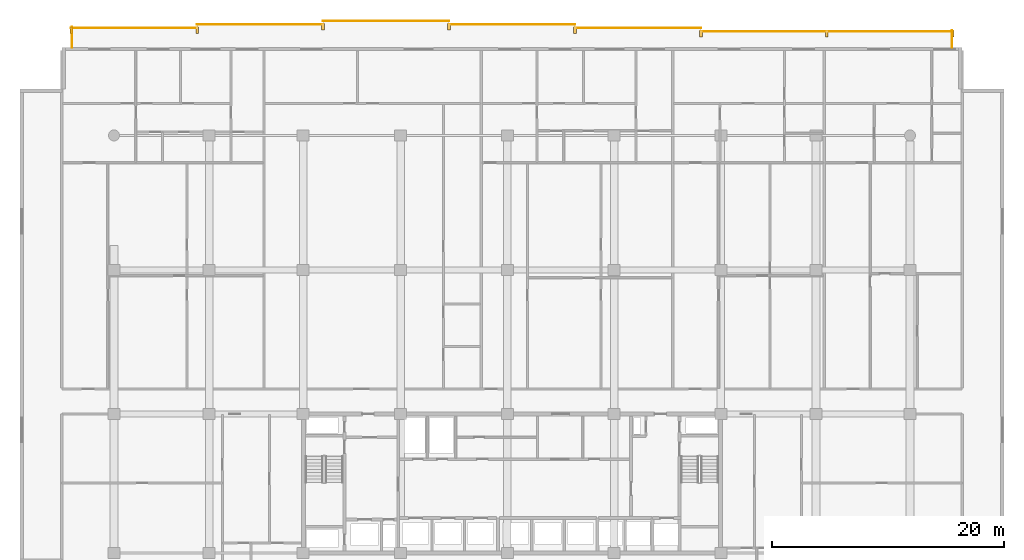
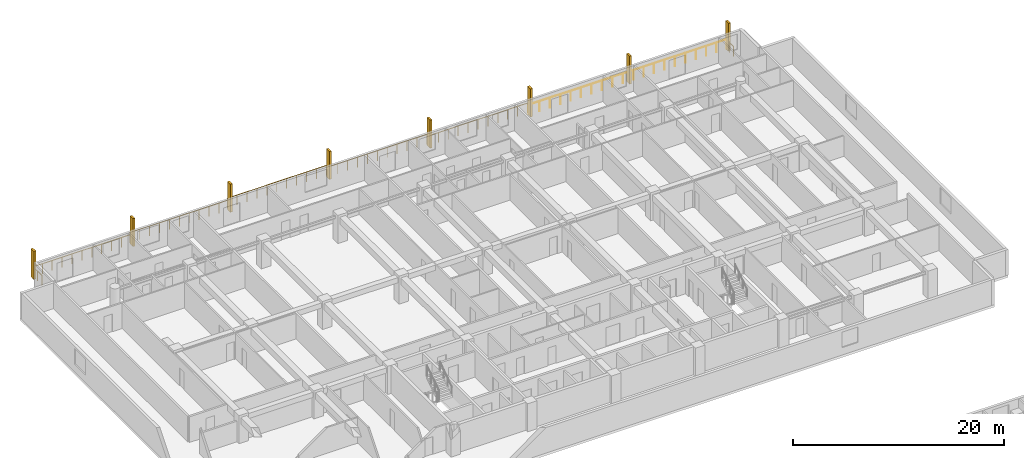
# One storey, part 23 of 23: 8 railings, 8 shading devices.
"""IFC4 building model written with IfcOpenShell, lengths in metres."""

from ifc_helpers import new_model, si_unit, direction, frame, origin, origin_2d, place, context, subcontext, project, spatial, rectangle, circle, extrude, material, type_object, element, save


model = new_model("IFC4")

# Units and contexts
model_context = context("Model", 3, precision=1e-05, world=origin(), true_north=direction((0.0, 1.0)))
body_context = subcontext(model_context, "Body", "Model", "MODEL_VIEW")
ifc_project = project(units=[si_unit("LENGTHUNIT", "METRE"), si_unit("AREAUNIT", "SQUARE_METRE"), si_unit("VOLUMEUNIT", "CUBIC_METRE"), si_unit("PLANEANGLEUNIT", "RADIAN"), si_unit("MASSUNIT", "GRAM", prefix="KILO")], contexts=[model_context])

# Site, building, storey
site_placement = place(None, origin())
site = spatial("IfcSite", under=ifc_project, at=site_placement, CompositionType="ELEMENT")
building_placement = place(site_placement, origin())
building = spatial("IfcBuilding", under=site, at=building_placement, Name="Korimba Cascade Residences", CompositionType="ELEMENT")
storey_placement = place(building_placement, frame((0.0, 0.0, 72.75)))
storey = spatial("IfcBuildingStorey", under=building, at=storey_placement, Name="L20", CompositionType="ELEMENT", Elevation=72.75)

# Railings
ifc_material_1 = material(Name="Laminated Glass and Bronze Balustrade", Category="glass")
railing_type = type_object("IfcRailingType", Name="RLG-LOG-1150", PredefinedType="BALUSTRADE", material=ifc_material_1)
railing_1_placement = place(storey_placement, frame((132.02001953125, 98.800048828125, 0.0)))
element("IfcRailing", 1, at=railing_1_placement, inside=storey, type_object=railing_type, Name="L20 Perimeter Guardrail RLG-L20-T1-LOG-01", PredefinedType="BALUSTRADE", context=body_context, shape_type="SweptSolid", body=[
    extrude(circle(Radius=0.02392578125, at=origin_2d()), frame((0.0, 0.0, 1.1259765625), z_axis=(0.0, 1.0, 0.0), x_axis=(-1.0, 0.0, 0.0)), (0.0, 0.0, 1.0), 1.449951171875),
    extrude(circle(Radius=0.02099609375, at=origin_2d()), origin(), (0.0, 0.0, 1.0), 1.101806640625),
    extrude(circle(Radius=0.02099609375, at=origin_2d()), frame((0.0, 0.72509765625, 0.0)), (0.0, 0.0, 1.0), 1.101806640625),
    extrude(circle(Radius=0.02099609375, at=origin_2d()), frame((0.0, 1.449951171875, 0.0)), (0.0, 0.0, 1.0), 1.101806640625),
])
railing_2_placement = place(storey_placement, frame((132.10009765625, 100.169921875, 0.0)))
element("IfcRailing", 2, at=railing_2_placement, inside=storey, type_object=railing_type, Name="L20 Perimeter Guardrail RLG-L20-T1-LOG-02", PredefinedType="BALUSTRADE", context=body_context, shape_type="SweptSolid", body=[
    extrude(circle(Radius=0.02392578125, at=origin_2d()), frame((0.0, 0.0, 1.1259765625), z_axis=(-1.0, 0.0, 0.0), x_axis=(0.0, -1.0, 0.0)), (0.0, 0.0, 1.0), 21.71435546875),
    extrude(circle(Radius=0.02099609375, at=origin_2d()), origin(), (0.0, 0.0, 1.0), 1.101806640625),
    extrude(circle(Radius=0.02099609375, at=origin_2d()), frame((-1.142822265625, 0.0, 0.0)), (0.0, 0.0, 1.0), 1.101806640625),
    extrude(circle(Radius=0.02099609375, at=origin_2d()), frame((-2.28564453125, 0.0, 0.0)), (0.0, 0.0, 1.0), 1.101806640625),
    extrude(circle(Radius=0.02099609375, at=origin_2d()), frame((-3.428466796875, 0.0, 0.0)), (0.0, 0.0, 1.0), 1.101806640625),
    extrude(circle(Radius=0.02099609375, at=origin_2d()), frame((-4.571533203125, 0.0, 0.0)), (0.0, 0.0, 1.0), 1.101806640625),
    extrude(circle(Radius=0.02099609375, at=origin_2d()), frame((-5.71435546875, 0.0, 0.0)), (0.0, 0.0, 1.0), 1.101806640625),
    extrude(circle(Radius=0.02099609375, at=origin_2d()), frame((-6.857177734375, 0.0, 0.0)), (0.0, 0.0, 1.0), 1.101806640625),
    extrude(circle(Radius=0.02099609375, at=origin_2d()), frame((-8.0, 0.0, 0.0)), (0.0, 0.0, 1.0), 1.101806640625),
    extrude(circle(Radius=0.02099609375, at=origin_2d()), frame((-9.142822265625, 0.0, 0.0)), (0.0, 0.0, 1.0), 1.101806640625),
    extrude(circle(Radius=0.02099609375, at=origin_2d()), frame((-10.28564453125, 0.0, 0.0)), (0.0, 0.0, 1.0), 1.101806640625),
    extrude(circle(Radius=0.02099609375, at=origin_2d()), frame((-11.4287109375, 0.0, 0.0)), (0.0, 0.0, 1.0), 1.101806640625),
    extrude(circle(Radius=0.02099609375, at=origin_2d()), frame((-12.571533203125, 0.0, 0.0)), (0.0, 0.0, 1.0), 1.101806640625),
    extrude(circle(Radius=0.02099609375, at=origin_2d()), frame((-13.71435546875, 0.0, 0.0)), (0.0, 0.0, 1.0), 1.101806640625),
    extrude(circle(Radius=0.02099609375, at=origin_2d()), frame((-14.857177734375, 0.0, 0.0)), (0.0, 0.0, 1.0), 1.101806640625),
    extrude(circle(Radius=0.02099609375, at=origin_2d()), frame((-16.0, 0.0, 0.0)), (0.0, 0.0, 1.0), 1.101806640625),
    extrude(circle(Radius=0.02099609375, at=origin_2d()), frame((-17.142822265625, 0.0, 0.0)), (0.0, 0.0, 1.0), 1.101806640625),
    extrude(circle(Radius=0.02099609375, at=origin_2d()), frame((-18.285888671875, 0.0, 0.0)), (0.0, 0.0, 1.0), 1.101806640625),
    extrude(circle(Radius=0.02099609375, at=origin_2d()), frame((-19.4287109375, 0.0, 0.0)), (0.0, 0.0, 1.0), 1.101806640625),
    extrude(circle(Radius=0.02099609375, at=origin_2d()), frame((-20.571533203125, 0.0, 0.0)), (0.0, 0.0, 1.0), 1.101806640625),
    extrude(circle(Radius=0.02099609375, at=origin_2d()), frame((-21.71435546875, 0.0, 0.0)), (0.0, 0.0, 1.0), 1.101806640625),
])
for number, where, name in (
    (3, (110.3857421875, 100.469970703125, 0.0), "L20 Perimeter Guardrail RLG-L20-T1-LOG-03"),
    (4, (99.528564453125, 100.77001953125, 0.0), "L20 Perimeter Guardrail RLG-L20-T1-LOG-04"),
    (5, (88.67138671875, 101.070068359375, 0.0), "L20 Perimeter Guardrail RLG-L20-T1-LOG-05"),
    (6, (77.814208984375, 100.77001953125, 0.0), "L20 Perimeter Guardrail RLG-L20-T1-LOG-06"),
):
    element("IfcRailing", number, at=place(storey_placement, frame(where)), inside=storey, type_object=railing_type, Name=name, PredefinedType="BALUSTRADE", context=body_context, shape_type="SweptSolid", body=[
        extrude(circle(Radius=0.02392578125, at=origin_2d()), frame((0.0, 0.0, 1.1259765625), z_axis=(-1.0, 0.0, 0.0), x_axis=(0.0, -1.0, 0.0)), (0.0, 0.0, 1.0), 10.857177734375),
        extrude(circle(Radius=0.02099609375, at=origin_2d()), origin(), (0.0, 0.0, 1.0), 1.101806640625),
        extrude(circle(Radius=0.02099609375, at=origin_2d()), frame((-1.085693359375, 0.0, 0.0)), (0.0, 0.0, 1.0), 1.101806640625),
        extrude(circle(Radius=0.02099609375, at=origin_2d()), frame((-2.17138671875, 0.0, 0.0)), (0.0, 0.0, 1.0), 1.101806640625),
        extrude(circle(Radius=0.02099609375, at=origin_2d()), frame((-3.257080078125, 0.0, 0.0)), (0.0, 0.0, 1.0), 1.101806640625),
        extrude(circle(Radius=0.02099609375, at=origin_2d()), frame((-4.3427734375, 0.0, 0.0)), (0.0, 0.0, 1.0), 1.101806640625),
        extrude(circle(Radius=0.02099609375, at=origin_2d()), frame((-5.4287109375, 0.0, 0.0)), (0.0, 0.0, 1.0), 1.101806640625),
        extrude(circle(Radius=0.02099609375, at=origin_2d()), frame((-6.514404296875, 0.0, 0.0)), (0.0, 0.0, 1.0), 1.101806640625),
        extrude(circle(Radius=0.02099609375, at=origin_2d()), frame((-7.60009765625, 0.0, 0.0)), (0.0, 0.0, 1.0), 1.101806640625),
        extrude(circle(Radius=0.02099609375, at=origin_2d()), frame((-8.685791015625, 0.0, 0.0)), (0.0, 0.0, 1.0), 1.101806640625),
        extrude(circle(Radius=0.02099609375, at=origin_2d()), frame((-9.771484375, 0.0, 0.0)), (0.0, 0.0, 1.0), 1.101806640625),
        extrude(circle(Radius=0.02099609375, at=origin_2d()), frame((-10.857177734375, 0.0, 0.0)), (0.0, 0.0, 1.0), 1.101806640625),
    ])
railing_3_placement = place(storey_placement, frame((66.95703125, 100.469970703125, 0.0)))
element("IfcRailing", 7, at=railing_3_placement, inside=storey, type_object=railing_type, Name="L20 Perimeter Guardrail RLG-L20-T1-LOG-07", PredefinedType="BALUSTRADE", context=body_context, shape_type="SweptSolid", body=[
    extrude(circle(Radius=0.02392578125, at=origin_2d()), frame((0.0, 0.0, 1.1259765625), z_axis=(-1.0, 0.0, 0.0), x_axis=(0.0, -1.0, 0.0)), (0.0, 0.0, 1.0), 10.85693359375),
    extrude(circle(Radius=0.02099609375, at=origin_2d()), origin(), (0.0, 0.0, 1.0), 1.101806640625),
    extrude(circle(Radius=0.02099609375, at=origin_2d()), frame((-1.085693359375, 0.0, 0.0)), (0.0, 0.0, 1.0), 1.101806640625),
    extrude(circle(Radius=0.02099609375, at=origin_2d()), frame((-2.17138671875, 0.0, 0.0)), (0.0, 0.0, 1.0), 1.101806640625),
    extrude(circle(Radius=0.02099609375, at=origin_2d()), frame((-3.257080078125, 0.0, 0.0)), (0.0, 0.0, 1.0), 1.101806640625),
    extrude(circle(Radius=0.02099609375, at=origin_2d()), frame((-4.3427734375, 0.0, 0.0)), (0.0, 0.0, 1.0), 1.101806640625),
    extrude(circle(Radius=0.02099609375, at=origin_2d()), frame((-5.428466796875, 0.0, 0.0)), (0.0, 0.0, 1.0), 1.101806640625),
    extrude(circle(Radius=0.02099609375, at=origin_2d()), frame((-6.51416015625, 0.0, 0.0)), (0.0, 0.0, 1.0), 1.101806640625),
    extrude(circle(Radius=0.02099609375, at=origin_2d()), frame((-7.599853515625, 0.0, 0.0)), (0.0, 0.0, 1.0), 1.101806640625),
    extrude(circle(Radius=0.02099609375, at=origin_2d()), frame((-8.685546875, 0.0, 0.0)), (0.0, 0.0, 1.0), 1.101806640625),
    extrude(circle(Radius=0.02099609375, at=origin_2d()), frame((-9.771240234375, 0.0, 0.0)), (0.0, 0.0, 1.0), 1.101806640625),
    extrude(circle(Radius=0.02099609375, at=origin_2d()), frame((-10.85693359375, 0.0, 0.0)), (0.0, 0.0, 1.0), 1.101806640625),
])
railing_4_placement = place(storey_placement, frame((56.179931640625, 100.550048828125, 0.0)))
element("IfcRailing", 8, at=railing_4_placement, inside=storey, type_object=railing_type, Name="L20 Perimeter Guardrail RLG-L20-T1-LOG-08", PredefinedType="BALUSTRADE", context=body_context, shape_type="SweptSolid", body=[
    extrude(circle(Radius=0.02392578125, at=origin_2d()), frame((0.0, 0.0, 1.1259765625), z_axis=(0.0, -1.0, 0.0), x_axis=(1.0, 0.0, 0.0)), (0.0, 0.0, 1.0), 1.75),
    extrude(circle(Radius=0.02099609375, at=origin_2d()), origin(), (0.0, 0.0, 1.0), 1.101806640625),
    extrude(circle(Radius=0.02099609375, at=origin_2d()), frame((0.0, -0.875, 0.0)), (0.0, 0.0, 1.0), 1.101806640625),
    extrude(circle(Radius=0.02099609375, at=origin_2d()), frame((0.0, -1.75, 0.0)), (0.0, 0.0, 1.0), 1.101806640625),
])

# Shading devices
ifc_material_2 = material(Name="Honed Sandstone Precast Fin", Category="masonry")
shading_device_type = type_object("IfcShadingDeviceType", Name="SHD-FIN-550", PredefinedType="USERDEFINED", material=ifc_material_2)
for number, where, z_axis, x_axis, name in (
    (9, (56.10009765625, 100.27490234375, 0.0), (0.0, 0.0, 1.0), (1.0, 0.0, 0.0), "L20 T1 Warm-Stone Loggia Fin 1"),
    (10, (66.95703125, 100.27490234375, 0.0), (0.0, 0.0, 1.0), (1.0, 0.0, 0.0), "L20 T1 Warm-Stone Loggia Fin 2"),
    (11, (77.814208984375, 100.574951171875, 0.0), (0.0, 0.0, 1.0), (1.0, 0.0, 0.0), "L20 T1 Warm-Stone Loggia Fin 3"),
    (12, (88.67138671875, 100.574951171875, 0.0), (0.0, 0.0, 1.0), (1.0, 0.0, 0.0), "L20 T1 Warm-Stone Loggia Fin 4"),
    (13, (99.528564453125, 100.27490234375, 0.0), (0.0, 0.0, 1.0), (1.0, 0.0, 0.0), "L20 T1 Warm-Stone Loggia Fin 5"),
    (14, (110.3857421875, 99.97509765625, 0.0), (0.0, 0.0, 1.0), (1.0, 0.0, 0.0), "L20 T1 Warm-Stone Loggia Fin 6"),
    (15, (121.242919921875, 99.97509765625, 0.0), (0.0, 0.0, 1.0), (1.0, 0.0, 0.0), "L20 T1 Warm-Stone Loggia Fin 7"),
    (16, (132.10009765625, 99.97509765625, 0.0), (0.0, 0.0, 1.0), (1.0, 0.0, 0.0), "L20 T1 Warm-Stone Loggia Fin 8"),
):
    element("IfcShadingDevice", number, at=place(storey_placement, frame(where, z_axis=z_axis, x_axis=x_axis)), inside=storey, type_object=shading_device_type, Name=name, ObjectType="FIN", PredefinedType="USERDEFINED", context=body_context, shape_type="SweptSolid", body=[
        extrude(rectangle(XDim=0.219970703125, YDim=0.550048828125, at=origin_2d()), origin(), (0.0, 0.0, 1.0), 3.25),
    ])

save(model, "model.ifc")
